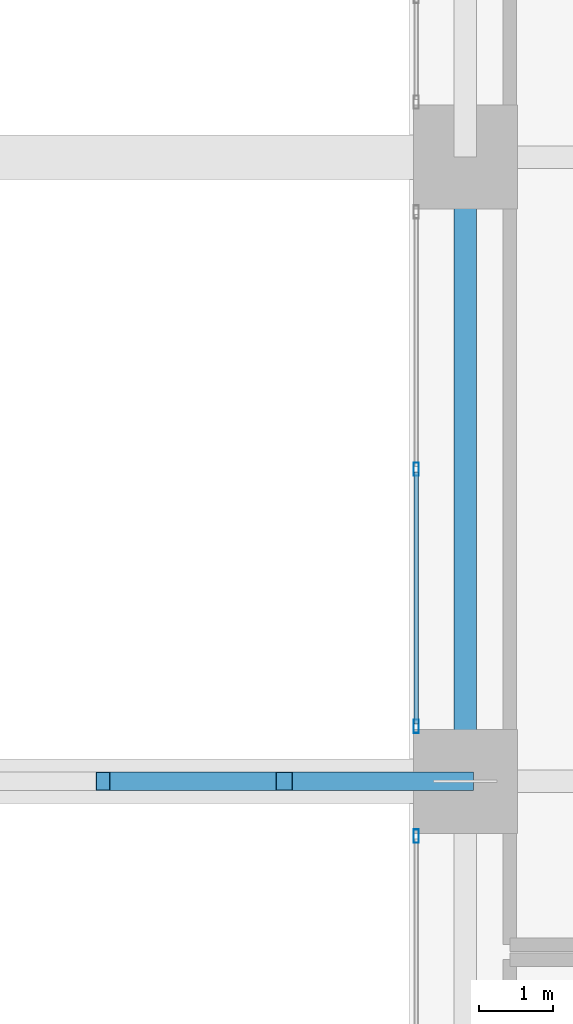
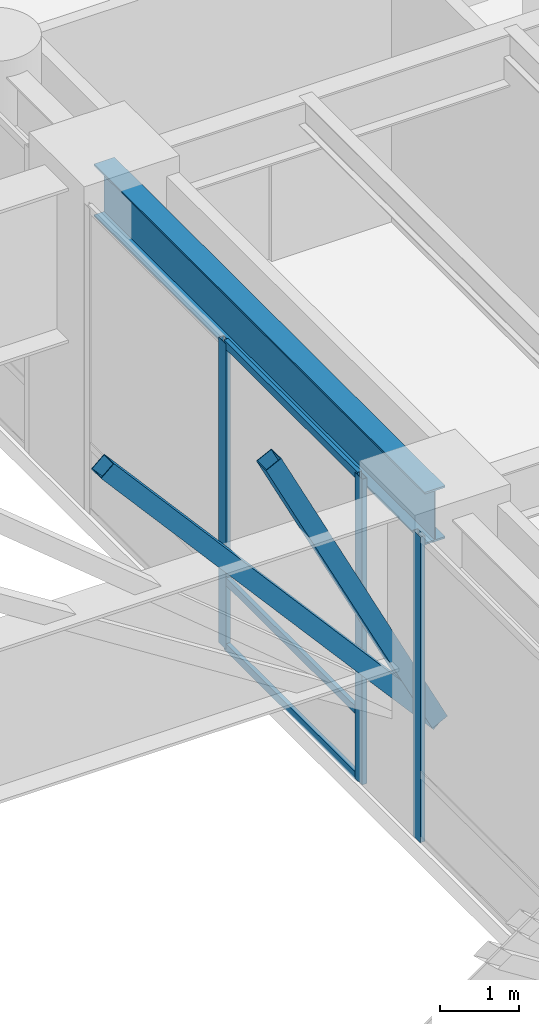
# One storey, part 20 of 39: 8 members, 1 beam, 2 elements without a shape of their own.
"""IFC4 building model written with IfcOpenShell, lengths in metres."""

from ifc_helpers import new_model, si_unit, direction, frame, origin, origin_2d, place, context, subcontext, project, spatial, hollow_rectangle, i_section, extrude, source, transform, mapped, material, layer, layer_set, material_profile, profile_set, type_object, type_shapes, element, aggregate, save


model = new_model("IFC4")

# Units and contexts
model_context = context("Model", 3, precision=1e-05, world=origin(), true_north=direction((0.0, 1.0)))
body_context = subcontext(model_context, "Body", "Model", "MODEL_VIEW")
ifc_project = project(units=[si_unit("LENGTHUNIT", "METRE"), si_unit("AREAUNIT", "SQUARE_METRE"), si_unit("VOLUMEUNIT", "CUBIC_METRE"), si_unit("PLANEANGLEUNIT", "RADIAN"), si_unit("MASSUNIT", "GRAM", prefix="KILO")], contexts=[model_context])

# Site, building, storey
site_placement = place(None, origin())
site = spatial("IfcSite", under=ifc_project, at=site_placement, CompositionType="ELEMENT")
building_placement = place(site_placement, origin())
building = spatial("IfcBuilding", under=site, at=building_placement, Name="Tolvann Quenvar Hotel", CompositionType="ELEMENT")
storey_placement = place(building_placement, frame((0.0, 0.0, 11.0)))
storey = spatial("IfcBuildingStorey", under=building, at=storey_placement, Name="L02", CompositionType="ELEMENT", Elevation=11.0)

# Beam
ifc_material_1 = material(Name="Steel Grade 350", Category="steel")
ifc_material_profile_1 = material_profile(ifc_material_1, i_section(OverallWidth=0.300048828125, OverallDepth=0.81591796875, WebThickness=0.010009765625, FlangeThickness=0.028076171875, at=origin_2d()), Name="800WB192")
ifc_profile_set_1 = profile_set([ifc_material_profile_1], Name="Steel Grade 350")
beam_type = type_object("IfcBeamType", Name="BM_GIRD_800WB192", PredefinedType="BEAM", material=ifc_profile_set_1)
shared_shape_1 = source(origin(), body_context, "Body", "SweptSolid", [
    extrude(i_section(OverallWidth=0.300048828125, OverallDepth=0.81591796875, WebThickness=0.010009765625, FlangeThickness=0.028076171875, at=origin_2d()), origin(), (0.0, 0.0, 1.0), 8.39990234375),
])
type_shapes(beam_type, [shared_shape_1])
beam_placement = place(storey_placement, frame((38.25, 16.0, 4.33203125), z_axis=(0.0, 1.0, 0.0), x_axis=(-1.0, 0.0, 0.0)))
element("IfcBeam", 1, at=beam_placement, inside=storey, type_object=beam_type, Name="BM-L02-NS-APE-2", PredefinedType="BEAM", context=body_context, shape_type="MappedRepresentation", body=[
    mapped(shared_shape_1, transform((0.0, 0.0, 0.0), x_axis=(1.0, 0.0, 0.0), y_axis=(0.0, 1.0, 0.0), z_axis=(0.0, 0.0, 1.0), scale=1.0)),
])

# Members
ifc_material_2 = material(Name="Steel Grade 450 (C450L0)", Category="steel")
ifc_material_profile_2 = material_profile(ifc_material_2, hollow_rectangle(XDim=0.25, YDim=0.25, WallThickness=0.010009765625, at=origin_2d()), Name="250x250x10SHS")
ifc_profile_set_2 = profile_set([ifc_material_profile_2], Name="Steel Grade 450 (C450L0)")
member_type_1 = type_object("IfcMemberType", Name="MEM_POST_250SHS", PredefinedType="POST", material=ifc_profile_set_2)
shared_shape_2 = source(origin(), body_context, "Body", "SweptSolid", [
    extrude(hollow_rectangle(XDim=0.25, YDim=0.25, WallThickness=0.010009765625, at=origin_2d()), origin(), (0.0, 0.0, 1.0), 5.42822265625),
])
member_1_placement = place(storey_placement, frame((38.25, 16.0, 1.199951171875), z_axis=(-0.449047704996, 0.0, 0.893507783199), x_axis=(0.0, -1.0, 0.0)))
element("IfcMember", 2, at=member_1_placement, inside=storey, type_object=member_type_1, Name="Arch Radial Support Strut F3-K7", PredefinedType="POST", context=body_context, shape_type="MappedRepresentation", body=[
    mapped(shared_shape_2, transform((0.0, 0.0, 0.0), x_axis=(1.0, 0.0, 0.0), y_axis=(0.0, 1.0, 0.0), z_axis=(0.0, 0.0, 1.0), scale=1.0)),
])
shared_shape_3 = source(origin(), body_context, "Body", "SweptSolid", [
    extrude(hollow_rectangle(XDim=0.25, YDim=0.25, WallThickness=0.010009765625, at=origin_2d()), origin(), (0.0, 0.0, 1.0), 7.4248046875),
])
type_shapes(member_type_1, [shared_shape_2, shared_shape_3])
member_2_placement = place(storey_placement, frame((38.25, 16.0, 1.199951171875), z_axis=(-0.656588918044, 0.0, 0.754248627909), x_axis=(0.0, -1.0, 0.0)))
element("IfcMember", 3, at=member_2_placement, inside=storey, type_object=member_type_1, Name="Arch Radial Support Strut F3-K6", PredefinedType="POST", context=body_context, shape_type="MappedRepresentation", body=[
    mapped(shared_shape_3, transform((0.0, 0.0, 0.0), x_axis=(1.0, 0.0, 0.0), y_axis=(0.0, 1.0, 0.0), z_axis=(0.0, 0.0, 1.0), scale=1.0)),
])

# Curtain wall, members
ifc_material_3 = material(Name="Thermally broken anodised architectural aluminium 6063-T6 and laminated low-E glass", Category="aluminium")
ifc_layer = layer(ifc_material_3, 0.179931640625)
ifc_layer_set = layer_set([ifc_layer], Name="Thermally broken anodised architectural aluminium 6063-T6 and laminated low-E glass")
curtain_wall_type = type_object("IfcCurtainWallType", Name="CW_SYS_ARCH_01", PredefinedType="USERDEFINED", material=ifc_layer_set)
curtain_wall_1_placement = place(storey_placement, origin())
curtain_wall_1 = element("IfcCurtainWall", 4, at=curtain_wall_1_placement, inside=storey, type_object=curtain_wall_type, Name="Curtain Wall CW-ARCH-01 (CWR-L02-E03-S2)", ObjectType="UNITISED CURTAIN WALL", PredefinedType="USERDEFINED")
ifc_material_4 = material(Name="Anodised architectural aluminium 6063-T6 framing", Category="aluminium")
ifc_material_profile_3 = material_profile(ifc_material_4, hollow_rectangle(XDim=0.06005859375, YDim=0.1201171875, WallThickness=0.00341796875, at=origin_2d()), Name="120x60x3.5RHS")
ifc_profile_set_3 = profile_set([ifc_material_profile_3], Name="Anodised architectural aluminium 6063-T6 framing")
member_type_2 = type_object("IfcMemberType", Name="CW_TRAN_120x60", PredefinedType="USERDEFINED", material=ifc_profile_set_3)
shared_shape_4 = source(origin(), body_context, "Body", "SweptSolid", [
    extrude(hollow_rectangle(XDim=0.06005859375, YDim=0.1201171875, WallThickness=0.00341796875, at=origin_2d()), origin(), (0.0, 0.0, 1.0), 3.39111328125),
])
type_shapes(member_type_2, [shared_shape_4])
member_3_placement = place(storey_placement, frame((37.590087890625, 20.1650390625, 0.030029296875), z_axis=(0.0, -1.0, 0.0), x_axis=(1.0, 0.0, 0.0)))
member_3 = element("IfcMember", 5, at=member_3_placement, type_object=member_type_2, Name="CW-ARCH-01 transom 2.1", ObjectType="TRANSOM", PredefinedType="USERDEFINED", context=body_context, shape_type="MappedRepresentation", body=[
    mapped(shared_shape_4, transform((0.0, 0.0, 0.0), x_axis=(1.0, 0.0, 0.0), y_axis=(0.0, 1.0, 0.0), z_axis=(0.0, 0.0, 1.0), scale=1.0)),
])
member_4_placement = place(storey_placement, frame((37.590087890625, 20.1650390625, 1.050048828125), z_axis=(0.0, -1.0, 0.0), x_axis=(1.0, 0.0, 0.0)))
member_4 = element("IfcMember", 6, at=member_4_placement, type_object=member_type_2, Name="CW-ARCH-01 transom 2.2", ObjectType="TRANSOM", PredefinedType="USERDEFINED", context=body_context, shape_type="MappedRepresentation", body=[
    mapped(shared_shape_4, transform((0.0, 0.0, 0.0), x_axis=(1.0, 0.0, 0.0), y_axis=(0.0, 1.0, 0.0), z_axis=(0.0, 0.0, 1.0), scale=1.0)),
])
member_5_placement = place(storey_placement, frame((37.590087890625, 20.1650390625, 4.7099609375), z_axis=(0.0, -1.0, 0.0), x_axis=(1.0, 0.0, 0.0)))
member_5 = element("IfcMember", 7, at=member_5_placement, type_object=member_type_2, Name="CW-ARCH-01 transom 2.3", ObjectType="TRANSOM", PredefinedType="USERDEFINED", context=body_context, shape_type="MappedRepresentation", body=[
    mapped(shared_shape_4, transform((0.0, 0.0, 0.0), x_axis=(1.0, 0.0, 0.0), y_axis=(0.0, 1.0, 0.0), z_axis=(0.0, 0.0, 1.0), scale=1.0)),
])
ifc_material_profile_4 = material_profile(ifc_material_4, hollow_rectangle(XDim=0.070068359375, YDim=0.179931640625, WallThickness=0.00390625, at=origin_2d()), Name="180x70x4RHS")
ifc_profile_set_4 = profile_set([ifc_material_profile_4], Name="Anodised architectural aluminium 6063-T6 framing")
member_type_3 = type_object("IfcMemberType", Name="CW_MULL_180x70", PredefinedType="MULLION", material=ifc_profile_set_4)
shared_shape_5 = source(origin(), body_context, "Body", "SweptSolid", [
    extrude(hollow_rectangle(XDim=0.070068359375, YDim=0.179931640625, WallThickness=0.00390625, at=origin_2d()), origin(), (0.0, 0.0, 1.0), 4.739990234375),
])
type_shapes(member_type_3, [shared_shape_5])
member_6_placement = place(storey_placement, frame((37.590087890625, 20.199951171875, 0.0), z_axis=(0.0, 0.0, 1.0), x_axis=(1.0, 0.0, 0.0)))
member_6 = element("IfcMember", 8, at=member_6_placement, type_object=member_type_3, Name="CW-ARCH-01 mullion 2", PredefinedType="MULLION", context=body_context, shape_type="MappedRepresentation", body=[
    mapped(shared_shape_5, transform((0.0, 0.0, 0.0), x_axis=(1.0, 0.0, 0.0), y_axis=(0.0, 1.0, 0.0), z_axis=(0.0, 0.0, 1.0), scale=1.0)),
])
member_7_placement = place(storey_placement, frame((37.590087890625, 16.739013671875, 0.0), z_axis=(0.0, 0.0, 1.0), x_axis=(1.0, 0.0, 0.0)))
member_7 = element("IfcMember", 9, at=member_7_placement, type_object=member_type_3, Name="CW-ARCH-01 mullion 3", PredefinedType="MULLION", context=body_context, shape_type="MappedRepresentation", body=[
    mapped(shared_shape_5, transform((0.0, 0.0, 0.0), x_axis=(1.0, 0.0, 0.0), y_axis=(0.0, 1.0, 0.0), z_axis=(0.0, 0.0, 1.0), scale=1.0)),
])
aggregate(curtain_wall_1, [member_6, member_7, member_3, member_4, member_5])

# Curtain wall, member
curtain_wall_2_placement = place(storey_placement, origin())
curtain_wall_2 = element("IfcCurtainWall", 10, at=curtain_wall_2_placement, inside=storey, type_object=curtain_wall_type, Name="Curtain Wall CW-ARCH-01 (CWR-L02-E03-S3)", ObjectType="UNITISED CURTAIN WALL", PredefinedType="USERDEFINED")
member_8_placement = place(storey_placement, frame((37.590087890625, 15.260986328125, 0.0), z_axis=(0.0, 0.0, 1.0), x_axis=(1.0, 0.0, 0.0)))
member_8 = element("IfcMember", 11, at=member_8_placement, type_object=member_type_3, Name="CW-ARCH-01 mullion 1", PredefinedType="MULLION", context=body_context, shape_type="MappedRepresentation", body=[
    mapped(shared_shape_5, transform((0.0, 0.0, 0.0), x_axis=(1.0, 0.0, 0.0), y_axis=(0.0, 1.0, 0.0), z_axis=(0.0, 0.0, 1.0), scale=1.0)),
])
aggregate(curtain_wall_2, [member_8])

save(model, "model.ifc")
